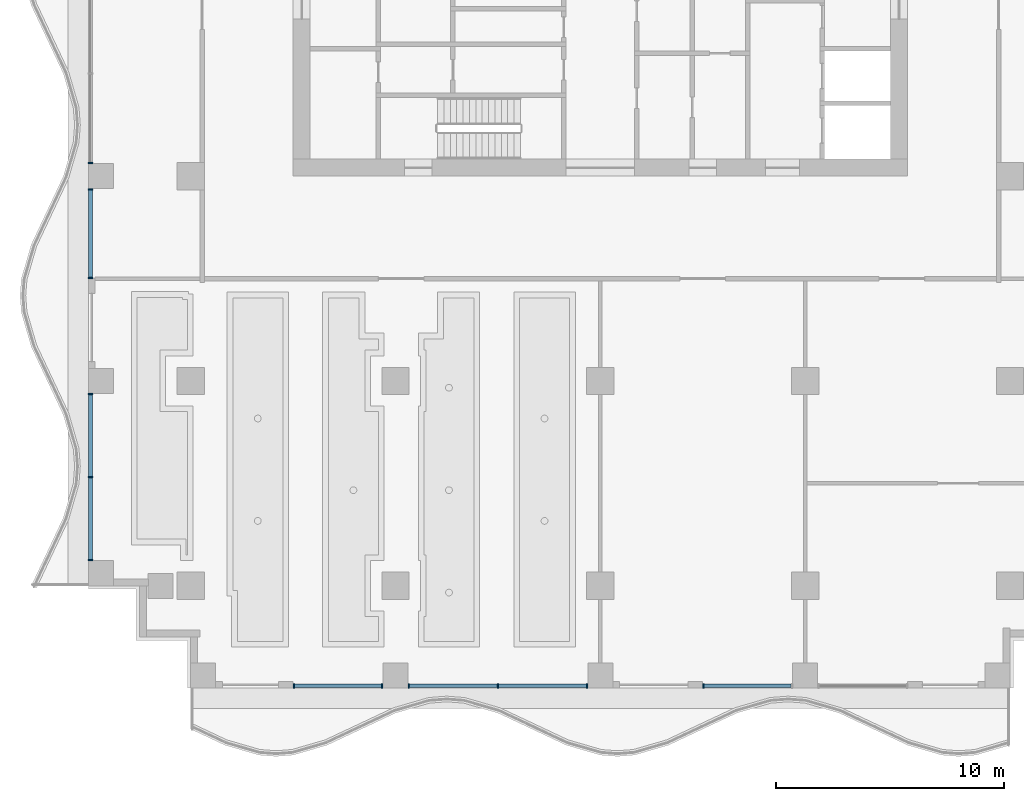
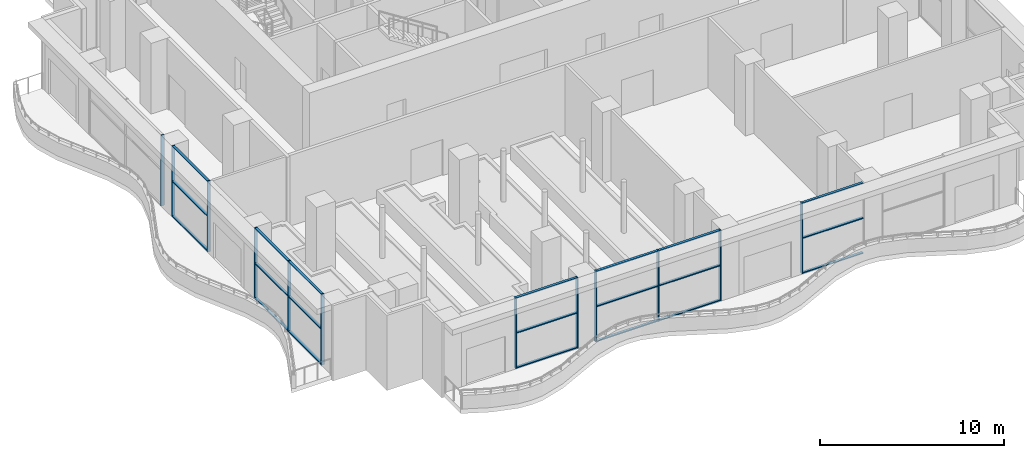
# One storey, part 2 of 16: 33 members, 6 elements without a shape of their own.
"""IFC4 building model written with IfcOpenShell, lengths in metres."""

from ifc_helpers import new_model, si_unit, direction, frame, origin, origin_2d, place, context, subcontext, project, spatial, rectangle, extrude, material, material_profile, profile_set, type_object, element, aggregate, save


model = new_model("IFC4")

# Units and contexts
model_context = context("Model", 3, precision=1e-05, world=origin(), true_north=direction((0.0, 1.0)))
body_context = subcontext(model_context, "Body", "Model", "MODEL_VIEW")
ifc_project = project(units=[si_unit("LENGTHUNIT", "METRE"), si_unit("AREAUNIT", "SQUARE_METRE"), si_unit("VOLUMEUNIT", "CUBIC_METRE"), si_unit("PLANEANGLEUNIT", "RADIAN"), si_unit("MASSUNIT", "GRAM", prefix="KILO")], contexts=[model_context])

# Site, building, storey
site_placement = place(None, origin())
site = spatial("IfcSite", under=ifc_project, at=site_placement, CompositionType="ELEMENT")
building_placement = place(site_placement, origin())
building = spatial("IfcBuilding", under=site, at=building_placement, Name="Orbiselva Terraces", CompositionType="ELEMENT")
storey_placement = place(building_placement, frame((0.0, 0.0, 174.4)))
storey = spatial("IfcBuildingStorey", under=building, at=storey_placement, Name="L44", CompositionType="ELEMENT", Elevation=174.4)

# Curtain wall, members
ifc_material_1 = material(Name="Clear low-e glazing in aluminium frame", Category="aluminium")
curtain_wall_type = type_object("IfcCurtainWallType", Name="ENV-CW-SKY", PredefinedType="NOTDEFINED", material=ifc_material_1)
curtain_wall_1_placement = place(storey_placement, origin())
curtain_wall_1 = element("IfcCurtainWall", 1, at=curtain_wall_1_placement, inside=storey, type_object=curtain_wall_type, Name="Curtain wall L44 S", PredefinedType="NOTDEFINED")
ifc_material_2 = material(Name="Anodised aluminium", Category="aluminium")
ifc_material_profile_1 = material_profile(ifc_material_2, rectangle(XDim=0.2, YDim=0.065, at=origin_2d()), Name="AL 65x200")
ifc_profile_set_1 = profile_set([ifc_material_profile_1], Name="Anodised aluminium")
member_type_1 = type_object("IfcMemberType", Name="ENV-CW-SKY-MULLION-65x200", PredefinedType="MULLION", material=ifc_profile_set_1)
member_1_placement = place(storey_placement, frame((-13.4675, -17.9, 0.0), z_axis=(0.0, 0.0, 1.0), x_axis=(0.0, 1.0, 0.0)))
member_1 = element("IfcMember", 2, at=member_1_placement, type_object=member_type_1, Name="CW3 mullion 1", PredefinedType="MULLION", context=body_context, shape_type="SweptSolid", body=[
    extrude(rectangle(XDim=0.2, YDim=0.065, at=origin_2d()), origin(), (0.0, 0.0, 1.0), 4.7),
])
member_2_placement = place(storey_placement, frame((-9.5825, -17.9, 0.0), z_axis=(0.0, 0.0, 1.0), x_axis=(0.0, 1.0, 0.0)))
member_2 = element("IfcMember", 3, at=member_2_placement, type_object=member_type_1, Name="CW3 mullion 2", PredefinedType="MULLION", context=body_context, shape_type="SweptSolid", body=[
    extrude(rectangle(XDim=0.2, YDim=0.065, at=origin_2d()), origin(), (0.0, 0.0, 1.0), 4.7),
])

curtain_wall_2_placement = place(storey_placement, origin())
curtain_wall_2 = element("IfcCurtainWall", 4, at=curtain_wall_2_placement, inside=storey, type_object=curtain_wall_type, Name="Curtain wall L44 S", PredefinedType="NOTDEFINED")
member_3_placement = place(storey_placement, frame((-8.4175, -17.9, 0.0), z_axis=(0.0, 0.0, 1.0), x_axis=(0.0, 1.0, 0.0)))
member_3 = element("IfcMember", 5, at=member_3_placement, type_object=member_type_1, Name="CW3 mullion 1", PredefinedType="MULLION", context=body_context, shape_type="SweptSolid", body=[
    extrude(rectangle(XDim=0.2, YDim=0.065, at=origin_2d()), origin(), (0.0, 0.0, 1.0), 4.7),
])
member_4_placement = place(storey_placement, frame((-4.5, -17.9, 0.0), z_axis=(0.0, 0.0, 1.0), x_axis=(0.0, 1.0, 0.0)))
member_4 = element("IfcMember", 6, at=member_4_placement, type_object=member_type_1, Name="CW3 mullion 2", PredefinedType="MULLION", context=body_context, shape_type="SweptSolid", body=[
    extrude(rectangle(XDim=0.2, YDim=0.065, at=origin_2d()), origin(), (0.0, 0.0, 1.0), 4.7),
])
member_5_placement = place(storey_placement, frame((-0.5825, -17.9, 0.0), z_axis=(0.0, 0.0, 1.0), x_axis=(0.0, 1.0, 0.0)))
member_5 = element("IfcMember", 7, at=member_5_placement, type_object=member_type_1, Name="CW3 mullion 3", PredefinedType="MULLION", context=body_context, shape_type="SweptSolid", body=[
    extrude(rectangle(XDim=0.2, YDim=0.065, at=origin_2d()), origin(), (0.0, 0.0, 1.0), 4.7),
])

# Curtain wall, member
curtain_wall_3_placement = place(storey_placement, origin())
curtain_wall_3 = element("IfcCurtainWall", 8, at=curtain_wall_3_placement, inside=storey, type_object=curtain_wall_type, Name="Curtain wall L44 S", PredefinedType="NOTDEFINED")
member_6_placement = place(storey_placement, frame((4.5325, -17.9, 0.0), z_axis=(0.0, 0.0, 1.0), x_axis=(0.0, 1.0, 0.0)))
member_6 = element("IfcMember", 9, at=member_6_placement, type_object=member_type_1, Name="CW3 mullion 1", PredefinedType="MULLION", context=body_context, shape_type="SweptSolid", body=[
    extrude(rectangle(XDim=0.2, YDim=0.065, at=origin_2d()), origin(), (0.0, 0.0, 1.0), 4.7),
])

curtain_wall_4_placement = place(storey_placement, origin())
curtain_wall_4 = element("IfcCurtainWall", 10, at=curtain_wall_4_placement, inside=storey, type_object=curtain_wall_type, Name="Curtain wall L44 W", PredefinedType="NOTDEFINED")
member_7_placement = place(storey_placement, frame((-22.4, 5.0825, 0.0), z_axis=(0.0, 0.0, 1.0), x_axis=(1.0, 0.0, 0.0)))
member_7 = element("IfcMember", 11, at=member_7_placement, type_object=member_type_1, Name="CW3 mullion 3", PredefinedType="MULLION", context=body_context, shape_type="SweptSolid", body=[
    extrude(rectangle(XDim=0.2, YDim=0.065, at=origin_2d()), origin(), (0.0, 0.0, 1.0), 4.7),
])
aggregate(curtain_wall_4, [member_7])

# Curtain wall, members
curtain_wall_5_placement = place(storey_placement, origin())
curtain_wall_5 = element("IfcCurtainWall", 12, at=curtain_wall_5_placement, inside=storey, type_object=curtain_wall_type, Name="Curtain wall L44 W", PredefinedType="NOTDEFINED")
member_8_placement = place(storey_placement, frame((-22.4, 3.9175, 0.0), z_axis=(0.0, 0.0, 1.0), x_axis=(1.0, 0.0, 0.0)))
member_8 = element("IfcMember", 13, at=member_8_placement, type_object=member_type_1, Name="CW3 mullion 1", PredefinedType="MULLION", context=body_context, shape_type="SweptSolid", body=[
    extrude(rectangle(XDim=0.2, YDim=0.065, at=origin_2d()), origin(), (0.0, 0.0, 1.0), 4.7),
])
member_9_placement = place(storey_placement, frame((-22.4, 0.0325, 0.0), z_axis=(0.0, 0.0, 1.0), x_axis=(1.0, 0.0, 0.0)))
member_9 = element("IfcMember", 14, at=member_9_placement, type_object=member_type_1, Name="CW3 mullion 2", PredefinedType="MULLION", context=body_context, shape_type="SweptSolid", body=[
    extrude(rectangle(XDim=0.2, YDim=0.065, at=origin_2d()), origin(), (0.0, 0.0, 1.0), 4.7),
])

curtain_wall_6_placement = place(storey_placement, origin())
curtain_wall_6 = element("IfcCurtainWall", 15, at=curtain_wall_6_placement, inside=storey, type_object=curtain_wall_type, Name="Curtain wall L44 W", PredefinedType="NOTDEFINED")
member_10_placement = place(storey_placement, frame((-22.4, -5.0825, 0.0), z_axis=(0.0, 0.0, 1.0), x_axis=(1.0, 0.0, 0.0)))
member_10 = element("IfcMember", 16, at=member_10_placement, type_object=member_type_1, Name="CW3 mullion 1", PredefinedType="MULLION", context=body_context, shape_type="SweptSolid", body=[
    extrude(rectangle(XDim=0.2, YDim=0.065, at=origin_2d()), origin(), (0.0, 0.0, 1.0), 4.7),
])
member_11_placement = place(storey_placement, frame((-22.4, -8.725, 0.0), z_axis=(0.0, 0.0, 1.0), x_axis=(1.0, 0.0, 0.0)))
member_11 = element("IfcMember", 17, at=member_11_placement, type_object=member_type_1, Name="CW3 mullion 2", PredefinedType="MULLION", context=body_context, shape_type="SweptSolid", body=[
    extrude(rectangle(XDim=0.2, YDim=0.065, at=origin_2d()), origin(), (0.0, 0.0, 1.0), 4.7),
])
member_12_placement = place(storey_placement, frame((-22.4, -12.3675, 0.0), z_axis=(0.0, 0.0, 1.0), x_axis=(1.0, 0.0, 0.0)))
member_12 = element("IfcMember", 18, at=member_12_placement, type_object=member_type_1, Name="CW3 mullion 3", PredefinedType="MULLION", context=body_context, shape_type="SweptSolid", body=[
    extrude(rectangle(XDim=0.2, YDim=0.065, at=origin_2d()), origin(), (0.0, 0.0, 1.0), 4.7),
])

# Member
ifc_material_profile_2 = material_profile(ifc_material_2, rectangle(XDim=0.16, YDim=0.065, at=origin_2d()), Name="AL 65x160")
ifc_profile_set_2 = profile_set([ifc_material_profile_2], Name="Anodised aluminium")
member_type_2 = type_object("IfcMemberType", Name="ENV-CW-SKY-TRANSOM-65x160", PredefinedType="USERDEFINED", material=ifc_profile_set_2)
member_13_placement = place(storey_placement, frame((-13.435, -17.9, 0.0325), z_axis=(1.0, 0.0, 0.0), x_axis=(0.0, 1.0, 0.0)))
member_13 = element("IfcMember", 19, at=member_13_placement, type_object=member_type_2, Name="CW3 transom 1.1", ObjectType="TRANSOM", PredefinedType="USERDEFINED", context=body_context, shape_type="SweptSolid", body=[
    extrude(rectangle(XDim=0.16, YDim=0.065, at=origin_2d()), origin(), (0.0, 0.0, 1.0), 3.82),
])

member_14_placement = place(storey_placement, frame((-13.435, -17.9, 2.35), z_axis=(1.0, 0.0, 0.0), x_axis=(0.0, 1.0, 0.0)))
member_14 = element("IfcMember", 20, at=member_14_placement, type_object=member_type_2, Name="CW3 transom 1.2", ObjectType="TRANSOM", PredefinedType="USERDEFINED", context=body_context, shape_type="SweptSolid", body=[
    extrude(rectangle(XDim=0.16, YDim=0.065, at=origin_2d()), origin(), (0.0, 0.0, 1.0), 3.82),
])

member_15_placement = place(storey_placement, frame((-13.435, -17.9, 4.6675), z_axis=(1.0, 0.0, 0.0), x_axis=(0.0, 1.0, 0.0)))
member_15 = element("IfcMember", 21, at=member_15_placement, type_object=member_type_2, Name="CW3 transom 1.3", ObjectType="TRANSOM", PredefinedType="USERDEFINED", context=body_context, shape_type="SweptSolid", body=[
    extrude(rectangle(XDim=0.16, YDim=0.065, at=origin_2d()), origin(), (0.0, 0.0, 1.0), 3.82),
])

aggregate(curtain_wall_1, [member_1, member_2, member_13, member_14, member_15])

member_16_placement = place(storey_placement, frame((-8.385, -17.9, 0.0325), z_axis=(1.0, 0.0, 0.0), x_axis=(0.0, 1.0, 0.0)))
member_16 = element("IfcMember", 22, at=member_16_placement, type_object=member_type_2, Name="CW3 transom 1.1", ObjectType="TRANSOM", PredefinedType="USERDEFINED", context=body_context, shape_type="SweptSolid", body=[
    extrude(rectangle(XDim=0.16, YDim=0.065, at=origin_2d()), origin(), (0.0, 0.0, 1.0), 3.8525),
])

member_17_placement = place(storey_placement, frame((-8.385, -17.9, 2.35), z_axis=(1.0, 0.0, 0.0), x_axis=(0.0, 1.0, 0.0)))
member_17 = element("IfcMember", 23, at=member_17_placement, type_object=member_type_2, Name="CW3 transom 1.2", ObjectType="TRANSOM", PredefinedType="USERDEFINED", context=body_context, shape_type="SweptSolid", body=[
    extrude(rectangle(XDim=0.16, YDim=0.065, at=origin_2d()), origin(), (0.0, 0.0, 1.0), 3.8525),
])

member_18_placement = place(storey_placement, frame((-8.385, -17.9, 4.6675), z_axis=(1.0, 0.0, 0.0), x_axis=(0.0, 1.0, 0.0)))
member_18 = element("IfcMember", 24, at=member_18_placement, type_object=member_type_2, Name="CW3 transom 1.3", ObjectType="TRANSOM", PredefinedType="USERDEFINED", context=body_context, shape_type="SweptSolid", body=[
    extrude(rectangle(XDim=0.16, YDim=0.065, at=origin_2d()), origin(), (0.0, 0.0, 1.0), 3.8525),
])

member_19_placement = place(storey_placement, frame((-4.4675, -17.9, 0.0325), z_axis=(1.0, 0.0, 0.0), x_axis=(0.0, 1.0, 0.0)))
member_19 = element("IfcMember", 25, at=member_19_placement, type_object=member_type_2, Name="CW3 transom 2.1", ObjectType="TRANSOM", PredefinedType="USERDEFINED", context=body_context, shape_type="SweptSolid", body=[
    extrude(rectangle(XDim=0.16, YDim=0.065, at=origin_2d()), origin(), (0.0, 0.0, 1.0), 3.8525),
])

member_20_placement = place(storey_placement, frame((-4.4675, -17.9, 2.35), z_axis=(1.0, 0.0, 0.0), x_axis=(0.0, 1.0, 0.0)))
member_20 = element("IfcMember", 26, at=member_20_placement, type_object=member_type_2, Name="CW3 transom 2.2", ObjectType="TRANSOM", PredefinedType="USERDEFINED", context=body_context, shape_type="SweptSolid", body=[
    extrude(rectangle(XDim=0.16, YDim=0.065, at=origin_2d()), origin(), (0.0, 0.0, 1.0), 3.8525),
])

member_21_placement = place(storey_placement, frame((-4.4675, -17.9, 4.6675), z_axis=(1.0, 0.0, 0.0), x_axis=(0.0, 1.0, 0.0)))
member_21 = element("IfcMember", 27, at=member_21_placement, type_object=member_type_2, Name="CW3 transom 2.3", ObjectType="TRANSOM", PredefinedType="USERDEFINED", context=body_context, shape_type="SweptSolid", body=[
    extrude(rectangle(XDim=0.16, YDim=0.065, at=origin_2d()), origin(), (0.0, 0.0, 1.0), 3.8525),
])

aggregate(curtain_wall_2, [member_3, member_4, member_5, member_16, member_17, member_18, member_19, member_20, member_21])

member_22_placement = place(storey_placement, frame((4.565, -17.9, 0.0325), z_axis=(1.0, 0.0, 0.0), x_axis=(0.0, 1.0, 0.0)))
member_22 = element("IfcMember", 28, at=member_22_placement, type_object=member_type_2, Name="CW3 transom 1.1", ObjectType="TRANSOM", PredefinedType="USERDEFINED", context=body_context, shape_type="SweptSolid", body=[
    extrude(rectangle(XDim=0.16, YDim=0.065, at=origin_2d()), origin(), (0.0, 0.0, 1.0), 3.82),
])

member_23_placement = place(storey_placement, frame((4.565, -17.9, 2.35), z_axis=(1.0, 0.0, 0.0), x_axis=(0.0, 1.0, 0.0)))
member_23 = element("IfcMember", 29, at=member_23_placement, type_object=member_type_2, Name="CW3 transom 1.2", ObjectType="TRANSOM", PredefinedType="USERDEFINED", context=body_context, shape_type="SweptSolid", body=[
    extrude(rectangle(XDim=0.16, YDim=0.065, at=origin_2d()), origin(), (0.0, 0.0, 1.0), 3.82),
])

member_24_placement = place(storey_placement, frame((4.565, -17.9, 4.6675), z_axis=(1.0, 0.0, 0.0), x_axis=(0.0, 1.0, 0.0)))
member_24 = element("IfcMember", 30, at=member_24_placement, type_object=member_type_2, Name="CW3 transom 1.3", ObjectType="TRANSOM", PredefinedType="USERDEFINED", context=body_context, shape_type="SweptSolid", body=[
    extrude(rectangle(XDim=0.16, YDim=0.065, at=origin_2d()), origin(), (0.0, 0.0, 1.0), 3.82),
])

aggregate(curtain_wall_3, [member_6, member_22, member_23, member_24])

member_25_placement = place(storey_placement, frame((-22.4, 3.885, 0.0325), z_axis=(0.0, -1.0, 0.0), x_axis=(1.0, 0.0, 0.0)))
member_25 = element("IfcMember", 31, at=member_25_placement, type_object=member_type_2, Name="CW3 transom 1.1", ObjectType="TRANSOM", PredefinedType="USERDEFINED", context=body_context, shape_type="SweptSolid", body=[
    extrude(rectangle(XDim=0.16, YDim=0.065, at=origin_2d()), origin(), (0.0, 0.0, 1.0), 3.82),
])

member_26_placement = place(storey_placement, frame((-22.4, 3.885, 2.35), z_axis=(0.0, -1.0, 0.0), x_axis=(1.0, 0.0, 0.0)))
member_26 = element("IfcMember", 32, at=member_26_placement, type_object=member_type_2, Name="CW3 transom 1.2", ObjectType="TRANSOM", PredefinedType="USERDEFINED", context=body_context, shape_type="SweptSolid", body=[
    extrude(rectangle(XDim=0.16, YDim=0.065, at=origin_2d()), origin(), (0.0, 0.0, 1.0), 3.82),
])

member_27_placement = place(storey_placement, frame((-22.4, 3.885, 4.6675), z_axis=(0.0, -1.0, 0.0), x_axis=(1.0, 0.0, 0.0)))
member_27 = element("IfcMember", 33, at=member_27_placement, type_object=member_type_2, Name="CW3 transom 1.3", ObjectType="TRANSOM", PredefinedType="USERDEFINED", context=body_context, shape_type="SweptSolid", body=[
    extrude(rectangle(XDim=0.16, YDim=0.065, at=origin_2d()), origin(), (0.0, 0.0, 1.0), 3.82),
])

aggregate(curtain_wall_5, [member_8, member_9, member_25, member_26, member_27])

member_28_placement = place(storey_placement, frame((-22.4, -5.115, 0.0325), z_axis=(0.0, -1.0, 0.0), x_axis=(1.0, 0.0, 0.0)))
member_28 = element("IfcMember", 34, at=member_28_placement, type_object=member_type_2, Name="CW3 transom 1.1", ObjectType="TRANSOM", PredefinedType="USERDEFINED", context=body_context, shape_type="SweptSolid", body=[
    extrude(rectangle(XDim=0.16, YDim=0.065, at=origin_2d()), origin(), (0.0, 0.0, 1.0), 3.5775),
])

member_29_placement = place(storey_placement, frame((-22.4, -5.115, 2.35), z_axis=(0.0, -1.0, 0.0), x_axis=(1.0, 0.0, 0.0)))
member_29 = element("IfcMember", 35, at=member_29_placement, type_object=member_type_2, Name="CW3 transom 1.2", ObjectType="TRANSOM", PredefinedType="USERDEFINED", context=body_context, shape_type="SweptSolid", body=[
    extrude(rectangle(XDim=0.16, YDim=0.065, at=origin_2d()), origin(), (0.0, 0.0, 1.0), 3.5775),
])

member_30_placement = place(storey_placement, frame((-22.4, -5.115, 4.6675), z_axis=(0.0, -1.0, 0.0), x_axis=(1.0, 0.0, 0.0)))
member_30 = element("IfcMember", 36, at=member_30_placement, type_object=member_type_2, Name="CW3 transom 1.3", ObjectType="TRANSOM", PredefinedType="USERDEFINED", context=body_context, shape_type="SweptSolid", body=[
    extrude(rectangle(XDim=0.16, YDim=0.065, at=origin_2d()), origin(), (0.0, 0.0, 1.0), 3.5775),
])

member_31_placement = place(storey_placement, frame((-22.4, -8.7575, 0.0325), z_axis=(0.0, -1.0, 0.0), x_axis=(1.0, 0.0, 0.0)))
member_31 = element("IfcMember", 37, at=member_31_placement, type_object=member_type_2, Name="CW3 transom 2.1", ObjectType="TRANSOM", PredefinedType="USERDEFINED", context=body_context, shape_type="SweptSolid", body=[
    extrude(rectangle(XDim=0.16, YDim=0.065, at=origin_2d()), origin(), (0.0, 0.0, 1.0), 3.5775),
])

member_32_placement = place(storey_placement, frame((-22.4, -8.7575, 2.35), z_axis=(0.0, -1.0, 0.0), x_axis=(1.0, 0.0, 0.0)))
member_32 = element("IfcMember", 38, at=member_32_placement, type_object=member_type_2, Name="CW3 transom 2.2", ObjectType="TRANSOM", PredefinedType="USERDEFINED", context=body_context, shape_type="SweptSolid", body=[
    extrude(rectangle(XDim=0.16, YDim=0.065, at=origin_2d()), origin(), (0.0, 0.0, 1.0), 3.5775),
])

member_33_placement = place(storey_placement, frame((-22.4, -8.7575, 4.6675), z_axis=(0.0, -1.0, 0.0), x_axis=(1.0, 0.0, 0.0)))
member_33 = element("IfcMember", 39, at=member_33_placement, type_object=member_type_2, Name="CW3 transom 2.3", ObjectType="TRANSOM", PredefinedType="USERDEFINED", context=body_context, shape_type="SweptSolid", body=[
    extrude(rectangle(XDim=0.16, YDim=0.065, at=origin_2d()), origin(), (0.0, 0.0, 1.0), 3.5775),
])

aggregate(curtain_wall_6, [member_10, member_11, member_12, member_28, member_29, member_30, member_31, member_32, member_33])

save(model, "model.ifc")
